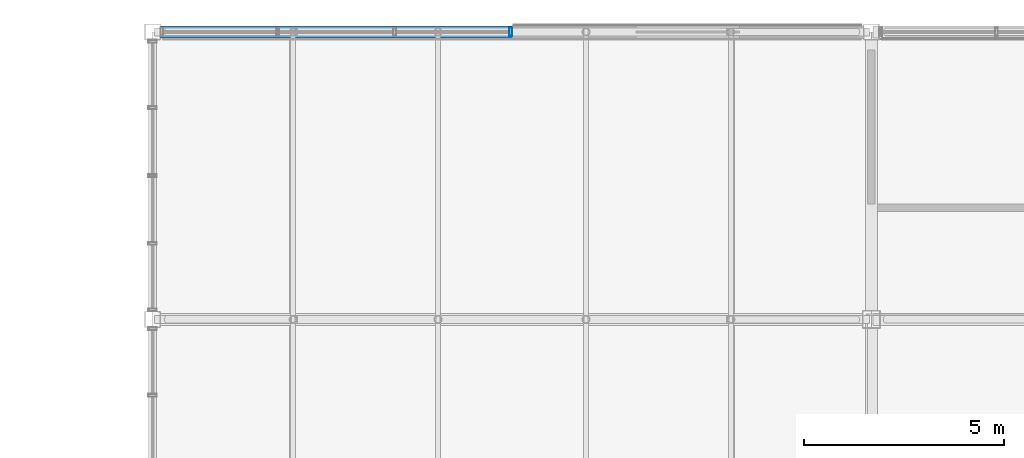
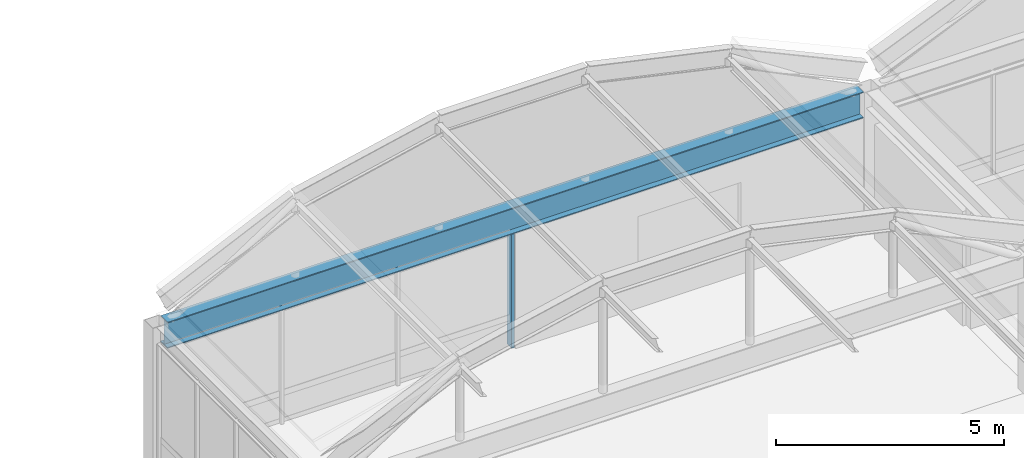
# One storey, part 60 of 106: 1 beam, 1 member, 1 element without a shape of its own.
"""IFC4 building model written with IfcOpenShell, lengths in metres."""

from ifc_helpers import new_model, si_unit, direction, frame, origin, origin_2d, place, context, subcontext, project, spatial, hollow_rectangle, i_section, extrude, material, material_profile, profile_set, type_object, element, aggregate, save


model = new_model("IFC4")

# Units and contexts
model_context = context("Model", 3, precision=1e-05, world=origin(), true_north=direction((0.0, 1.0)))
body_context = subcontext(model_context, "Body", "Model", "MODEL_VIEW")
ifc_project = project(units=[si_unit("LENGTHUNIT", "METRE"), si_unit("AREAUNIT", "SQUARE_METRE"), si_unit("VOLUMEUNIT", "CUBIC_METRE"), si_unit("PLANEANGLEUNIT", "RADIAN"), si_unit("MASSUNIT", "GRAM", prefix="KILO")], contexts=[model_context])

# Site, building, storey
site_placement = place(None, origin())
site = spatial("IfcSite", under=ifc_project, at=site_placement, CompositionType="ELEMENT")
building_placement = place(site_placement, origin())
building = spatial("IfcBuilding", under=site, at=building_placement, Name="Kazanami Central Library", CompositionType="ELEMENT")
storey_placement = place(building_placement, frame((0.0, 0.0, 12.800048828125)))
storey = spatial("IfcBuildingStorey", under=building, at=storey_placement, Name="L04", CompositionType="ELEMENT", Elevation=12.800048828125)

# Beam
ifc_material_1 = material(Name="Steel SN490B (325 MPa)", Category="steel")
ifc_material_profile_1 = material_profile(ifc_material_1, i_section(OverallWidth=0.300048828125, OverallDepth=0.699951171875, WebThickness=0.012939453125, FlangeThickness=0.02392578125, at=origin_2d()), Name="H-700x300x13x24")
ifc_profile_set_1 = profile_set([ifc_material_profile_1], Name="Steel SN490B (325 MPa)")
beam_type = type_object("IfcBeamType", Name="BM-G-AT", PredefinedType="BEAM", material=ifc_profile_set_1)
beam_placement = place(storey_placement, frame((45.197998046875, 93.60009765625, 3.429931640625), z_axis=(1.0, 0.0, 0.0), x_axis=(0.0, 1.0, 0.0)))
element("IfcBeam", 1, at=beam_placement, inside=storey, type_object=beam_type, Name="Barrel Vault Springing Tie Girder G-AT L04 W Grid O", PredefinedType="BEAM", context=body_context, shape_type="SweptSolid", body=[
    extrude(i_section(OverallWidth=0.300048828125, OverallDepth=0.699951171875, WebThickness=0.012939453125, FlangeThickness=0.02392578125, at=origin_2d()), origin(), (0.0, 0.0, 1.0), 17.60400390625),
])

# Curtain wall, member
ifc_material_2 = material(Name="Acid-Etched Low-E Laminated Glass", Category="glass")
curtain_wall_type = type_object("IfcCurtainWallType", Name="CW-8800x3080-M275", PredefinedType="USERDEFINED", material=ifc_material_2)
curtain_wall_placement = place(storey_placement, origin())
curtain_wall = element("IfcCurtainWall", 2, at=curtain_wall_placement, inside=storey, type_object=curtain_wall_type, Name="Unitised Curtain Wall CW-42 L04 N-O-05", ObjectType="UNITISED CURTAIN WALL", PredefinedType="USERDEFINED")
ifc_material_3 = material(Name="Anodised Aluminium A6063-T5", Category="aluminium")
ifc_material_profile_2 = material_profile(ifc_material_3, hollow_rectangle(XDim=0.070068359375, YDim=0.2099609375, WallThickness=0.0048828125, at=origin_2d()), Name="ALU-MULL-70x210x5")
ifc_profile_set_2 = profile_set([ifc_material_profile_2], Name="Anodised Aluminium A6063-T5")
member_type = type_object("IfcMemberType", Name="MEM-CW-M1", PredefinedType="MULLION", material=ifc_profile_set_2)
member_placement = place(storey_placement, frame((53.965087890625, 93.60009765625, 0.0), z_axis=(0.0, 0.0, 1.0), x_axis=(-1.0, 0.0, 0.0)))
member = element("IfcMember", 3, at=member_placement, type_object=member_type, Name="CW-42 mullion 1", PredefinedType="MULLION", context=body_context, shape_type="SweptSolid", body=[
    extrude(hollow_rectangle(XDim=0.070068359375, YDim=0.2099609375, WallThickness=0.0048828125, at=origin_2d()), origin(), (0.0, 0.0, 1.0), 3.079833984375),
])
aggregate(curtain_wall, [member])

save(model, "model.ifc")
